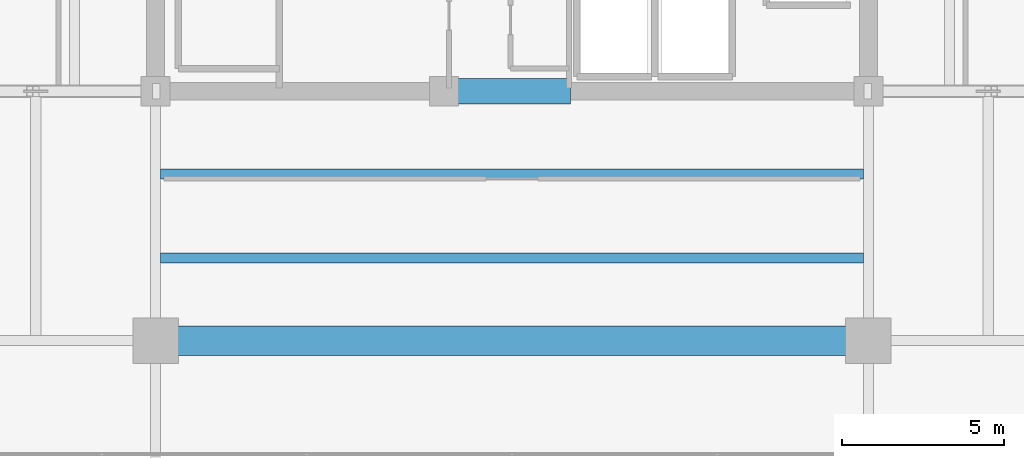
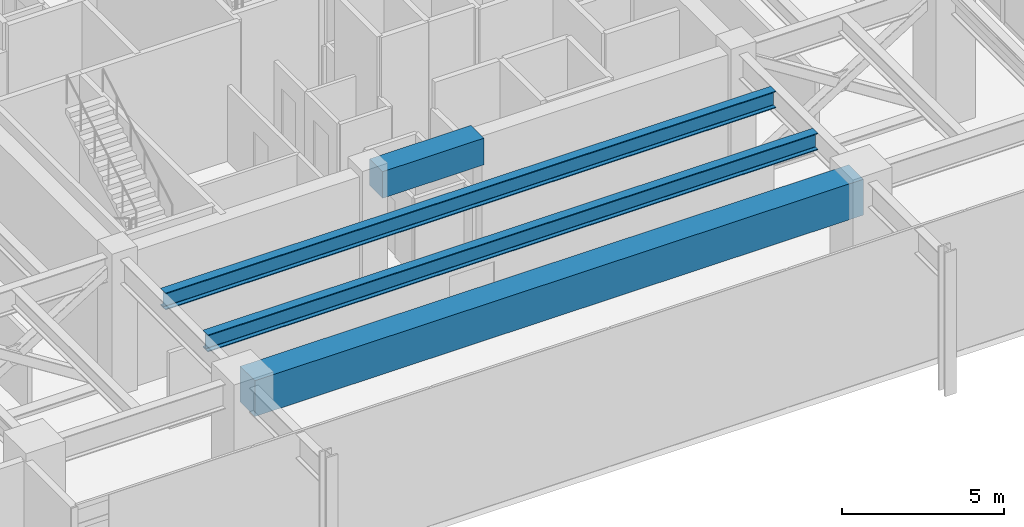
# One storey, part 5 of 21: 4 beams.
"""IFC4 building model written with IfcOpenShell, lengths in metres."""

from ifc_helpers import new_model, si_unit, direction, frame, origin, origin_2d, place, context, subcontext, project, spatial, rectangle, i_section, extrude, material, material_profile, profile_set, type_object, element, save


model = new_model("IFC4")

# Units and contexts
model_context = context("Model", 3, precision=1e-05, world=origin(), true_north=direction((0.0, 1.0)))
body_context = subcontext(model_context, "Body", "Model", "MODEL_VIEW")
ifc_project = project(units=[si_unit("LENGTHUNIT", "METRE"), si_unit("AREAUNIT", "SQUARE_METRE"), si_unit("VOLUMEUNIT", "CUBIC_METRE"), si_unit("PLANEANGLEUNIT", "RADIAN"), si_unit("MASSUNIT", "GRAM", prefix="KILO")], contexts=[model_context])

# Site, building, storey
site_placement = place(None, origin())
site = spatial("IfcSite", under=ifc_project, at=site_placement, CompositionType="ELEMENT")
building_placement = place(site_placement, origin())
building = spatial("IfcBuilding", under=site, at=building_placement, Name="Kovane Verandah Tower", CompositionType="ELEMENT")
storey_placement = place(building_placement, frame((0.0, 0.0, 189.39990234375)))
storey = spatial("IfcBuildingStorey", under=building, at=storey_placement, Name="L44", CompositionType="ELEMENT", Elevation=189.39990234375)

# Beams
ifc_material_1 = material(Name="Concrete C60/75", Category="concrete")
ifc_material_profile_1 = material_profile(ifc_material_1, rectangle(XDim=0.800048828125, YDim=1.0, at=origin_2d()), Name="RCB800x1000")
ifc_profile_set_1 = profile_set([ifc_material_profile_1], Name="Concrete C60/75")
beam_type_1 = type_object("IfcBeamType", Name="BM-LINTEL-800x1000", PredefinedType="LINTEL", material=ifc_profile_set_1)
beam_1_placement = place(storey_placement, frame((38.199951171875, 18.5, 4.60009765625), z_axis=(1.0, 0.0, 0.0), x_axis=(0.0, 1.0, 0.0)))
element("IfcBeam", 1, at=beam_1_placement, inside=storey, type_object=beam_type_1, Name="L44 Core Coupling Lintel CL-S", PredefinedType="LINTEL", context=body_context, shape_type="SweptSolid", body=[
    extrude(rectangle(XDim=0.800048828125, YDim=1.0, at=origin_2d()), origin(), (0.0, 0.0, 1.0), 3.60009765625),
])
ifc_material_2 = material(Name="Concrete C80/95", Category="concrete")
ifc_material_profile_2 = material_profile(ifc_material_2, rectangle(XDim=0.89990234375, YDim=1.35009765625, at=origin_2d()), Name="RCB900x1350")
ifc_profile_set_2 = profile_set([ifc_material_profile_2], Name="Concrete C80/95")
beam_type_2 = type_object("IfcBeamType", Name="BM-TR-900x1350", PredefinedType="BEAM", material=ifc_profile_set_2)
beam_2_placement = place(storey_placement, frame((29.179931640625, 10.800048828125, 4.425048828125), z_axis=(1.0, 0.0, 0.0), x_axis=(0.0, 1.0, 0.0)))
element("IfcBeam", 2, at=beam_2_placement, inside=storey, type_object=beam_type_2, Name="L44 Primary Tower Girder G-RS2", PredefinedType="BEAM", context=body_context, shape_type="SweptSolid", body=[
    extrude(rectangle(XDim=0.89990234375, YDim=1.35009765625, at=origin_2d()), origin(), (0.0, 0.0, 1.0), 21.64013671875),
])
ifc_material_3 = material(Name="Steel S460", Category="steel")
ifc_material_profile_3 = material_profile(ifc_material_3, i_section(OverallWidth=0.311279296875, OverallDepth=0.6357421875, WebThickness=0.018310546875, FlangeThickness=0.031494140625, FilletRadius=0.0166015625, at=origin_2d()), Name="UB610x305x238")
ifc_profile_set_3 = profile_set([ifc_material_profile_3], Name="Steel S460")
beam_type_3 = type_object("IfcBeamType", Name="BM-UB610x238", PredefinedType="BEAM", material=ifc_profile_set_3)
for number, where, z_axis, x_axis, name in (
    (3, (29.15185546875, 13.35009765625, 4.7822265625), (1.0, 0.0, 0.0), (0.0, 1.0, 0.0), "L44 Secondary Composite Joist J-S1"),
    (4, (29.15185546875, 15.949951171875, 4.7822265625), (1.0, 0.0, 0.0), (0.0, 1.0, 0.0), "L44 Secondary Composite Joist J-S2"),
):
    element("IfcBeam", number, at=place(storey_placement, frame(where, z_axis=z_axis, x_axis=x_axis)), inside=storey, type_object=beam_type_3, Name=name, PredefinedType="BEAM", context=body_context, shape_type="SweptSolid", body=[
        extrude(i_section(OverallWidth=0.311279296875, OverallDepth=0.6357421875, WebThickness=0.018310546875, FlangeThickness=0.031494140625, FilletRadius=0.0166015625, at=origin_2d()), origin(), (0.0, 0.0, 1.0), 21.6962890625),
    ])

save(model, "model.ifc")
